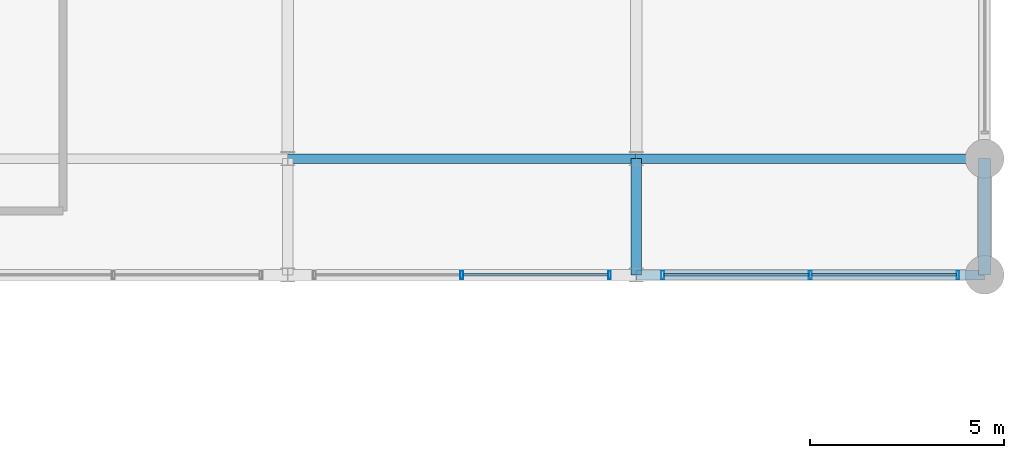
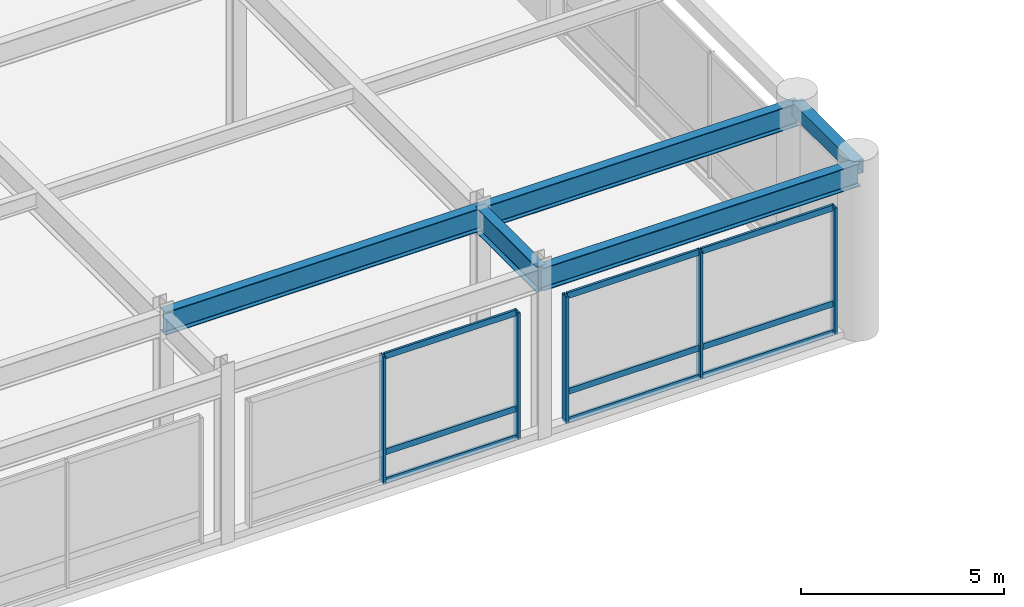
# One storey, part 63 of 100: 14 members, 5 beams, 2 elements without a shape of their own.
"""IFC4 building model written with IfcOpenShell, lengths in metres."""

import ifcopenshell
import ifcopenshell.guid

model = None  # the IFC model being written
_history = None  # IfcOwnerHistory: only IFC2X3 demands one
_inside = {}  # id of a spatial element -> (the spatial element, [elements in it])
_under = {}  # id of a project, library or spatial element -> (it, [spatial elements below it])
_declared = {}  # id of a project -> (the project, [libraries it declares])
_typed = {}  # id of a type object -> (the type object, [elements of that type])
_made_of = {}  # id of a material, layer set ... -> (it, [elements and type objects made of it])


def new_model(schema):
    """Start an empty IFC model of exactly this schema.

    Asked for "IFC4X3", IfcOpenShell would pick the latest addendum, in which some entities
    have other attributes; the version numbers below select the first issue.
    IFC2X3 requires an IfcOwnerHistory on every rooted entity: one is made here for all.
    """
    global model, _history
    if schema == "IFC4X3":
        model = ifcopenshell.file(schema_version=(4, 3, 0, 0))
    else:
        model = ifcopenshell.file(schema=schema)
    _inside.clear()
    _under.clear()
    _declared.clear()
    _typed.clear()
    _made_of.clear()
    _history = None
    if model.schema == "IFC2X3":
        org = make("IfcOrganization", Name="unknown")
        user = make(
            "IfcPersonAndOrganization",
            ThePerson=make("IfcPerson", FamilyName="unknown"),
            TheOrganization=org,
        )
        app = make(
            "IfcApplication",
            ApplicationDeveloper=org,
            Version="unknown",
            ApplicationFullName="unknown",
            ApplicationIdentifier="unknown",
        )
        _history = make(
            "IfcOwnerHistory",
            OwningUser=user,
            OwningApplication=app,
            ChangeAction="ADDED",
            CreationDate=0,
        )
    return model


def make(cls, **values):
    """One entity of the class cls with the attributes given. An attribute that is None is left unset."""
    return model.create_entity(
        cls, **{name: value for name, value in values.items() if value is not None}
    )


def rooted(cls, **values):
    """An entity with a GlobalId (a new one), such as an element, a storey or a relation."""
    return make(cls, GlobalId=ifcopenshell.guid.new(), OwnerHistory=_history, **values)


def si_unit(unit_type, name, prefix=None):
    """IfcSIUnit, for example si_unit("LENGTHUNIT", "METRE", prefix="MILLI")."""
    return make("IfcSIUnit", UnitType=unit_type, Prefix=prefix, Name=name)


def assignment(units):
    """IfcUnitAssignment: the units of a project."""
    return None if units is None else make("IfcUnitAssignment", Units=units)


def point(xyz):
    """IfcCartesianPoint."""
    return None if xyz is None else make("IfcCartesianPoint", Coordinates=xyz)


def direction(xyz):
    """IfcDirection."""
    return None if xyz is None else make("IfcDirection", DirectionRatios=xyz)


def frame(location, z_axis=None, x_axis=None):
    """IfcAxis2Placement3D, a coordinate frame: its origin and axes. An axis left out is left unset."""
    return make(
        "IfcAxis2Placement3D",
        Location=point(location),
        Axis=direction(z_axis),
        RefDirection=direction(x_axis),
    )


def frame_2d(location, x_axis=None):
    """IfcAxis2Placement2D, a coordinate frame in the plane: its origin and x axis."""
    return make(
        "IfcAxis2Placement2D", Location=point(location), RefDirection=direction(x_axis)
    )


def origin():
    """The frame at (0, 0, 0) with its axes left unset."""
    return frame((0.0, 0.0, 0.0))


def origin_2d():
    """The frame at (0, 0) in the plane with its x axis left unset."""
    return frame_2d((0.0, 0.0))


def place(relative_to, where):
    """IfcLocalPlacement: puts the frame where relative to a parent placement (None: the world)."""
    return make(
        "IfcLocalPlacement", PlacementRelTo=relative_to, RelativePlacement=where
    )


def context(
    kind, dimensions, precision=None, world=None, true_north=None, identifier=None
):
    """IfcGeometricRepresentationContext, for example the 3D "Model" context."""
    return make(
        "IfcGeometricRepresentationContext",
        ContextIdentifier=identifier,
        ContextType=kind,
        CoordinateSpaceDimension=dimensions,
        Precision=precision,
        WorldCoordinateSystem=world,
        TrueNorth=true_north,
    )


def subcontext(parent, identifier, kind, view, scale=None):
    """IfcGeometricRepresentationSubContext, for example "Body" below "Model"."""
    return make(
        "IfcGeometricRepresentationSubContext",
        ContextIdentifier=identifier,
        ContextType=kind,
        ParentContext=parent,
        TargetScale=scale,
        TargetView=view,
    )


def project(units=None, contexts=None):
    """IfcProject with its units and contexts."""
    return rooted(
        "IfcProject",
        Name="project",
        RepresentationContexts=contexts,
        UnitsInContext=assignment(units),
    )


def spatial(cls, under=None, at=None, **own):
    """A site, building, storey or space (cls), placed at a placement, below another one or the project."""
    s = rooted(cls, ObjectPlacement=at, **own)
    if under is not None:
        _under.setdefault(under.id(), (under, []))[1].append(s)
    return s


def profile(cls, at=None, kind="AREA", **sizes):
    """A parametric profile (cls). Its sizes go by their IFC names, for example OverallWidth=200.0."""
    return make(cls, ProfileType=kind, Position=at, **sizes)


def hollow_rectangle(**sizes):
    """IfcRectangleHollowProfileDef."""
    return profile("IfcRectangleHollowProfileDef", **sizes)


def i_section(**sizes):
    """IfcIShapeProfileDef."""
    return profile("IfcIShapeProfileDef", **sizes)


def extrude(swept, where, along, depth):
    """IfcExtrudedAreaSolid: the profile swept, set in the frame where, extruded along a direction by depth."""
    return make(
        "IfcExtrudedAreaSolid",
        SweptArea=swept,
        Position=where,
        ExtrudedDirection=direction(along),
        Depth=depth,
    )


def shape(context_of_items, identifier, shape_type, items):
    """IfcShapeRepresentation: the items that make up one representation, for example the "Body"."""
    return make(
        "IfcShapeRepresentation",
        ContextOfItems=context_of_items,
        RepresentationIdentifier=identifier,
        RepresentationType=shape_type,
        Items=items,
    )


def material(Name=None, Category=None):
    """IfcMaterial."""
    return make("IfcMaterial", Name=Name, Category=Category)


def material_profile(
    of_material, cross_section, Name=None, Category=None, Priority=None
):
    """IfcMaterialProfile: a cross section and its material."""
    return make(
        "IfcMaterialProfile",
        Name=Name,
        Material=of_material,
        Profile=cross_section,
        Priority=Priority,
        Category=Category,
    )


def profile_set(profiles, Name=None, composite=None):
    """IfcMaterialProfileSet."""
    return make(
        "IfcMaterialProfileSet",
        Name=Name,
        MaterialProfiles=profiles,
        CompositeProfile=composite,
    )


def made_of(thing, what):
    """Note that an element or type object is made of a material, layer set ...; save() writes the relation."""
    if what is not None:
        _made_of.setdefault(what.id(), (what, []))[1].append(thing)
    return thing


def type_object(cls, material=None, **own):
    """A type object (cls), such as IfcWallType, which elements share."""
    return made_of(rooted(cls, **own), material)


def element(
    cls,
    number,
    at=None,
    inside=None,
    cuts=None,
    type_object=None,
    material=None,
    context=None,
    identifier="Body",
    shape_type=None,
    held_by="IfcProductDefinitionShape",
    body=None,
    shapes=None,
    **own,
):
    """One element of the class cls, such as IfcWall. Its Tag is "e" and its number.

    at: its placement. inside: the storey or other place that contains it. cuts: it is an
    opening in that element (IfcRelVoidsElement). A single representation is given by context,
    identifier, shape_type and body (its items); several are given by shapes. held_by: the class
    of the entity that holds the representations. save() writes the other relations.
    """
    e = rooted(cls, Tag="e%d" % number, ObjectPlacement=at, **own)
    if body is not None:
        shapes = [shape(context, identifier, shape_type, body)]
    if shapes is not None:
        e.Representation = make(held_by, Representations=shapes)
    if inside is not None:
        _inside.setdefault(inside.id(), (inside, []))[1].append(e)
    if cuts is not None:
        rooted(
            "IfcRelVoidsElement", RelatingBuildingElement=cuts, RelatedOpeningElement=e
        )
    if type_object is not None:
        _typed.setdefault(type_object.id(), (type_object, []))[1].append(e)
    return made_of(e, material)


def aggregate(whole, parts):
    """IfcRelAggregates: a whole, such as a stair, and the parts it consists of."""
    return rooted("IfcRelAggregates", RelatingObject=whole, RelatedObjects=parts)


def save(model, path):
    """Write the relations noted so far, then the file.

    IfcRelAggregates (storeys below a building ...), IfcRelContainedInSpatialStructure (elements
    in a storey), IfcRelDefinesByType, IfcRelAssociatesMaterial and IfcRelDeclares: one each for
    every whole, place, type object, material and project.
    """
    for whole, parts in _under.values():
        aggregate(whole, parts)
    for where, things in _inside.values():
        rooted(
            "IfcRelContainedInSpatialStructure",
            RelatedElements=things,
            RelatingStructure=where,
        )
    for kind, things in _typed.values():
        rooted("IfcRelDefinesByType", RelatedObjects=things, RelatingType=kind)
    for what, things in _made_of.values():
        rooted("IfcRelAssociatesMaterial", RelatedObjects=things, RelatingMaterial=what)
    for by, libraries in _declared.values():
        rooted("IfcRelDeclares", RelatingContext=by, RelatedDefinitions=libraries)
    model.write(path)


model = new_model("IFC4")

# Units and contexts
model_context = context("Model", 3, precision=1e-05, world=origin(), true_north=direction((0.0, 1.0)))
body_context = subcontext(model_context, "Body", "Model", "MODEL_VIEW")
ifc_project = project(units=[si_unit("LENGTHUNIT", "METRE"), si_unit("AREAUNIT", "SQUARE_METRE"), si_unit("VOLUMEUNIT", "CUBIC_METRE"), si_unit("PLANEANGLEUNIT", "RADIAN"), si_unit("MASSUNIT", "GRAM", prefix="KILO")], contexts=[model_context])

# Site, building, storey
site_placement = place(None, origin())
site = spatial("IfcSite", under=ifc_project, at=site_placement, CompositionType="ELEMENT")
building_placement = place(site_placement, origin())
building = spatial("IfcBuilding", under=site, at=building_placement, Name="Kaldorvane Square Convention Centre", CompositionType="ELEMENT")
storey_placement = place(building_placement, frame((0.0, 0.0, 18.0)))
storey = spatial("IfcBuildingStorey", under=building, at=storey_placement, Name="L03", CompositionType="ELEMENT", Elevation=18.0)

# Beams
ifc_material_1 = material(Name="Steel ASTM A992 Gr. 50", Category="steel")
ifc_material_profile_1 = material_profile(ifc_material_1, i_section(OverallWidth=0.25439453125, OverallDepth=0.6880950927734375, WebThickness=0.0131072998046875, FlangeThickness=0.0211029052734375, FilletRadius=0.01519775390625, at=origin_2d()), Name="W27X102")
ifc_profile_set_1 = profile_set([ifc_material_profile_1], Name="Steel ASTM A992 Gr. 50")
beam_type_1 = type_object("IfcBeamType", Name="BM-GR-W27X102", PredefinedType="BEAM", material=ifc_profile_set_1)
for number, where, z_axis, x_axis, name in (
    (1, (165.0, 81.0, 4.731903076171875), (1.0, 0.0, 0.0), (0.0, 1.0, 0.0), "Primary Girder (L03)"),
    (2, (156.0, 84.0, 4.731903076171875), (1.0, 0.0, 0.0), (0.0, 1.0, 0.0), "Primary Girder (L03)"),
    (3, (165.0, 84.0, 4.731903076171875), (1.0, 0.0, 0.0), (0.0, 1.0, 0.0), "Primary Girder (L03)"),
):
    element("IfcBeam", number, at=place(storey_placement, frame(where, z_axis=z_axis, x_axis=x_axis)), inside=storey, type_object=beam_type_1, Name=name, PredefinedType="BEAM", context=body_context, shape_type="SweptSolid", body=[
        extrude(i_section(OverallWidth=0.25439453125, OverallDepth=0.6880950927734375, WebThickness=0.0131072998046875, FlangeThickness=0.0211029052734375, FilletRadius=0.01519775390625, at=origin_2d()), origin(), (0.0, 0.0, 1.0), 9.0),
    ])
ifc_material_profile_2 = material_profile(ifc_material_1, i_section(OverallWidth=0.2666015625, OverallDepth=0.762298583984375, WebThickness=0.014404296875, FlangeThickness=0.0216064453125, FilletRadius=0.0164947509765625, at=origin_2d()), Name="W30X116")
ifc_profile_set_2 = profile_set([ifc_material_profile_2], Name="Steel ASTM A992 Gr. 50")
beam_type_2 = type_object("IfcBeamType", Name="BM-GR-W30X116", PredefinedType="BEAM", material=ifc_profile_set_2)
beam_1_placement = place(storey_placement, frame((165.0, 81.0, 4.694793701171875), z_axis=(0.0, 1.0, 0.0), x_axis=(-1.0, 0.0, 0.0)))
element("IfcBeam", 4, at=beam_1_placement, inside=storey, type_object=beam_type_2, Name="Transverse Girder (L03)", PredefinedType="BEAM", context=body_context, shape_type="SweptSolid", body=[
    extrude(i_section(OverallWidth=0.2666015625, OverallDepth=0.762298583984375, WebThickness=0.014404296875, FlangeThickness=0.0216064453125, FilletRadius=0.0164947509765625, at=origin_2d()), origin(), (0.0, 0.0, 1.0), 3.0),
])
ifc_material_2 = material(Name="Steel ASTM A500 Gr. C", Category="steel")
ifc_material_profile_3 = material_profile(ifc_material_2, hollow_rectangle(XDim=0.3047943115234375, YDim=0.406402587890625, WallThickness=0.0117950439453125, at=origin_2d()), Name="HSS16X12X1/2")
ifc_profile_set_3 = profile_set([ifc_material_profile_3], Name="Steel ASTM A500 Gr. C")
beam_type_3 = type_object("IfcBeamType", Name="BM-SP-HSS16", PredefinedType="SPANDREL", material=ifc_profile_set_3)
beam_2_placement = place(storey_placement, frame((174.0, 81.0, 4.872802734375), z_axis=(0.0, 1.0, 0.0), x_axis=(-1.0, 0.0, 0.0)))
element("IfcBeam", 5, at=beam_2_placement, inside=storey, type_object=beam_type_3, Name="End Spandrel (L03)", PredefinedType="SPANDREL", context=body_context, shape_type="SweptSolid", body=[
    extrude(hollow_rectangle(XDim=0.3047943115234375, YDim=0.406402587890625, WallThickness=0.0117950439453125, at=origin_2d()), origin(), (0.0, 0.0, 1.0), 3.0),
])

# Curtain wall, members
ifc_material_3 = material(Name="Anodized Aluminum and Low-E Insulated Glazing", Category="aluminium")
curtain_wall_type = type_object("IfcCurtainWallType", Name="CW-PTS-FC-54", PredefinedType="USERDEFINED", material=ifc_material_3)
curtain_wall_1_placement = place(storey_placement, origin())
curtain_wall_1 = element("IfcCurtainWall", 6, at=curtain_wall_1_placement, inside=storey, type_object=curtain_wall_type, Name="Curtain Wall CW-08 (L03)", ObjectType="POINT SUPPORTED GLAZING", PredefinedType="USERDEFINED")
ifc_material_profile_4 = material_profile(ifc_material_3, hollow_rectangle(XDim=0.0749969482421875, YDim=0.220001220703125, WallThickness=0.003997802734375, at=origin_2d()), Name="CWM-220X75")
ifc_profile_set_4 = profile_set([ifc_material_profile_4], Name="Anodized Aluminum and Low-E Insulated Glazing")
member_type_1 = type_object("IfcMemberType", Name="CW-MUL-220", PredefinedType="MULLION", material=ifc_profile_set_4)
member_1_placement = place(storey_placement, frame((160.5, 81.0, 0.149993896484375), z_axis=(0.0, 0.0, 1.0), x_axis=(1.0, 0.0, 0.0)))
member_1 = element("IfcMember", 7, at=member_1_placement, type_object=member_type_1, Name="CW-08 mullion 2", PredefinedType="MULLION", context=body_context, shape_type="SweptSolid", body=[
    extrude(hollow_rectangle(XDim=0.0749969482421875, YDim=0.220001220703125, WallThickness=0.003997802734375, at=origin_2d()), origin(), (0.0, 0.0, 1.0), 3.8100128173828125),
])
member_2_placement = place(storey_placement, frame((164.3125, 81.0, 0.149993896484375), z_axis=(0.0, 0.0, 1.0), x_axis=(1.0, 0.0, 0.0)))
member_2 = element("IfcMember", 8, at=member_2_placement, type_object=member_type_1, Name="CW-08 mullion 3", PredefinedType="MULLION", context=body_context, shape_type="SweptSolid", body=[
    extrude(hollow_rectangle(XDim=0.0749969482421875, YDim=0.220001220703125, WallThickness=0.003997802734375, at=origin_2d()), origin(), (0.0, 0.0, 1.0), 3.8100128173828125),
])

curtain_wall_2_placement = place(storey_placement, origin())
curtain_wall_2 = element("IfcCurtainWall", 9, at=curtain_wall_2_placement, inside=storey, type_object=curtain_wall_type, Name="Curtain Wall CW-08 (L03)", ObjectType="POINT SUPPORTED GLAZING", PredefinedType="USERDEFINED")
member_3_placement = place(storey_placement, frame((165.6875, 81.0, 0.149993896484375), z_axis=(0.0, 0.0, 1.0), x_axis=(1.0, 0.0, 0.0)))
member_3 = element("IfcMember", 10, at=member_3_placement, type_object=member_type_1, Name="CW-08 mullion 1", PredefinedType="MULLION", context=body_context, shape_type="SweptSolid", body=[
    extrude(hollow_rectangle(XDim=0.0749969482421875, YDim=0.220001220703125, WallThickness=0.003997802734375, at=origin_2d()), origin(), (0.0, 0.0, 1.0), 3.8100128173828125),
])
member_4_placement = place(storey_placement, frame((169.5, 81.0, 0.149993896484375), z_axis=(0.0, 0.0, 1.0), x_axis=(1.0, 0.0, 0.0)))
member_4 = element("IfcMember", 11, at=member_4_placement, type_object=member_type_1, Name="CW-08 mullion 2", PredefinedType="MULLION", context=body_context, shape_type="SweptSolid", body=[
    extrude(hollow_rectangle(XDim=0.0749969482421875, YDim=0.220001220703125, WallThickness=0.003997802734375, at=origin_2d()), origin(), (0.0, 0.0, 1.0), 3.8100128173828125),
])
member_5_placement = place(storey_placement, frame((173.3125, 81.0, 0.149993896484375), z_axis=(0.0, 0.0, 1.0), x_axis=(1.0, 0.0, 0.0)))
member_5 = element("IfcMember", 12, at=member_5_placement, type_object=member_type_1, Name="CW-08 mullion 3", PredefinedType="MULLION", context=body_context, shape_type="SweptSolid", body=[
    extrude(hollow_rectangle(XDim=0.0749969482421875, YDim=0.220001220703125, WallThickness=0.003997802734375, at=origin_2d()), origin(), (0.0, 0.0, 1.0), 3.8100128173828125),
])

# Member
ifc_material_profile_5 = material_profile(ifc_material_3, hollow_rectangle(XDim=0.06500244140625, YDim=0.17999267578125, WallThickness=0.0034942626953125, at=origin_2d()), Name="CWT-180X65")
ifc_profile_set_5 = profile_set([ifc_material_profile_5], Name="Anodized Aluminum and Low-E Insulated Glazing")
member_type_2 = type_object("IfcMemberType", Name="CW-TRN-180", PredefinedType="USERDEFINED", material=ifc_profile_set_5)
member_6_placement = place(storey_placement, frame((160.53750610351562, 81.0, 0.1824951171875), z_axis=(1.0, 0.0, 0.0), x_axis=(0.0, 1.0, 0.0)))
member_6 = element("IfcMember", 13, at=member_6_placement, type_object=member_type_2, Name="CW-08 transom 2.1", ObjectType="TRANSOM", PredefinedType="USERDEFINED", context=body_context, shape_type="SweptSolid", body=[
    extrude(hollow_rectangle(XDim=0.06500244140625, YDim=0.17999267578125, WallThickness=0.0034942626953125, at=origin_2d()), origin(), (0.0, 0.0, 1.0), 3.73748779296875),
])

member_7_placement = place(storey_placement, frame((160.53750610351562, 81.0, 1.0500030517578125), z_axis=(1.0, 0.0, 0.0), x_axis=(0.0, 1.0, 0.0)))
member_7 = element("IfcMember", 14, at=member_7_placement, type_object=member_type_2, Name="CW-08 transom 2.2", ObjectType="TRANSOM", PredefinedType="USERDEFINED", context=body_context, shape_type="SweptSolid", body=[
    extrude(hollow_rectangle(XDim=0.06500244140625, YDim=0.17999267578125, WallThickness=0.0034942626953125, at=origin_2d()), origin(), (0.0, 0.0, 1.0), 3.73748779296875),
])

member_8_placement = place(storey_placement, frame((160.53750610351562, 81.0, 3.9275054931640625), z_axis=(1.0, 0.0, 0.0), x_axis=(0.0, 1.0, 0.0)))
member_8 = element("IfcMember", 15, at=member_8_placement, type_object=member_type_2, Name="CW-08 transom 2.3", ObjectType="TRANSOM", PredefinedType="USERDEFINED", context=body_context, shape_type="SweptSolid", body=[
    extrude(hollow_rectangle(XDim=0.06500244140625, YDim=0.17999267578125, WallThickness=0.0034942626953125, at=origin_2d()), origin(), (0.0, 0.0, 1.0), 3.73748779296875),
])

aggregate(curtain_wall_1, [member_1, member_2, member_6, member_7, member_8])

member_9_placement = place(storey_placement, frame((165.72500610351562, 81.0, 0.1824951171875), z_axis=(1.0, 0.0, 0.0), x_axis=(0.0, 1.0, 0.0)))
member_9 = element("IfcMember", 16, at=member_9_placement, type_object=member_type_2, Name="CW-08 transom 1.1", ObjectType="TRANSOM", PredefinedType="USERDEFINED", context=body_context, shape_type="SweptSolid", body=[
    extrude(hollow_rectangle(XDim=0.06500244140625, YDim=0.17999267578125, WallThickness=0.0034942626953125, at=origin_2d()), origin(), (0.0, 0.0, 1.0), 3.73748779296875),
])

member_10_placement = place(storey_placement, frame((165.72500610351562, 81.0, 1.0500030517578125), z_axis=(1.0, 0.0, 0.0), x_axis=(0.0, 1.0, 0.0)))
member_10 = element("IfcMember", 17, at=member_10_placement, type_object=member_type_2, Name="CW-08 transom 1.2", ObjectType="TRANSOM", PredefinedType="USERDEFINED", context=body_context, shape_type="SweptSolid", body=[
    extrude(hollow_rectangle(XDim=0.06500244140625, YDim=0.17999267578125, WallThickness=0.0034942626953125, at=origin_2d()), origin(), (0.0, 0.0, 1.0), 3.73748779296875),
])

member_11_placement = place(storey_placement, frame((165.72500610351562, 81.0, 3.9275054931640625), z_axis=(1.0, 0.0, 0.0), x_axis=(0.0, 1.0, 0.0)))
member_11 = element("IfcMember", 18, at=member_11_placement, type_object=member_type_2, Name="CW-08 transom 1.3", ObjectType="TRANSOM", PredefinedType="USERDEFINED", context=body_context, shape_type="SweptSolid", body=[
    extrude(hollow_rectangle(XDim=0.06500244140625, YDim=0.17999267578125, WallThickness=0.0034942626953125, at=origin_2d()), origin(), (0.0, 0.0, 1.0), 3.73748779296875),
])

member_12_placement = place(storey_placement, frame((169.53750610351562, 81.0, 0.1824951171875), z_axis=(1.0, 0.0, 0.0), x_axis=(0.0, 1.0, 0.0)))
member_12 = element("IfcMember", 19, at=member_12_placement, type_object=member_type_2, Name="CW-08 transom 2.1", ObjectType="TRANSOM", PredefinedType="USERDEFINED", context=body_context, shape_type="SweptSolid", body=[
    extrude(hollow_rectangle(XDim=0.06500244140625, YDim=0.17999267578125, WallThickness=0.0034942626953125, at=origin_2d()), origin(), (0.0, 0.0, 1.0), 3.73748779296875),
])

member_13_placement = place(storey_placement, frame((169.53750610351562, 81.0, 1.0500030517578125), z_axis=(1.0, 0.0, 0.0), x_axis=(0.0, 1.0, 0.0)))
member_13 = element("IfcMember", 20, at=member_13_placement, type_object=member_type_2, Name="CW-08 transom 2.2", ObjectType="TRANSOM", PredefinedType="USERDEFINED", context=body_context, shape_type="SweptSolid", body=[
    extrude(hollow_rectangle(XDim=0.06500244140625, YDim=0.17999267578125, WallThickness=0.0034942626953125, at=origin_2d()), origin(), (0.0, 0.0, 1.0), 3.73748779296875),
])

member_14_placement = place(storey_placement, frame((169.53750610351562, 81.0, 3.9275054931640625), z_axis=(1.0, 0.0, 0.0), x_axis=(0.0, 1.0, 0.0)))
member_14 = element("IfcMember", 21, at=member_14_placement, type_object=member_type_2, Name="CW-08 transom 2.3", ObjectType="TRANSOM", PredefinedType="USERDEFINED", context=body_context, shape_type="SweptSolid", body=[
    extrude(hollow_rectangle(XDim=0.06500244140625, YDim=0.17999267578125, WallThickness=0.0034942626953125, at=origin_2d()), origin(), (0.0, 0.0, 1.0), 3.73748779296875),
])

aggregate(curtain_wall_2, [member_3, member_4, member_5, member_9, member_10, member_11, member_12, member_13, member_14])

save(model, "model.ifc")
